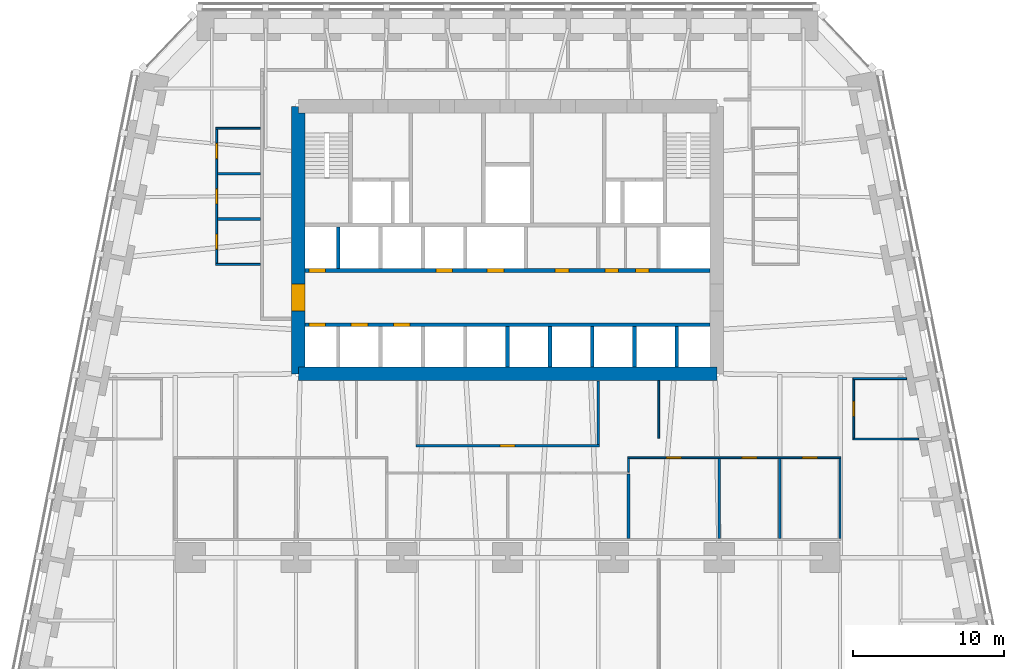
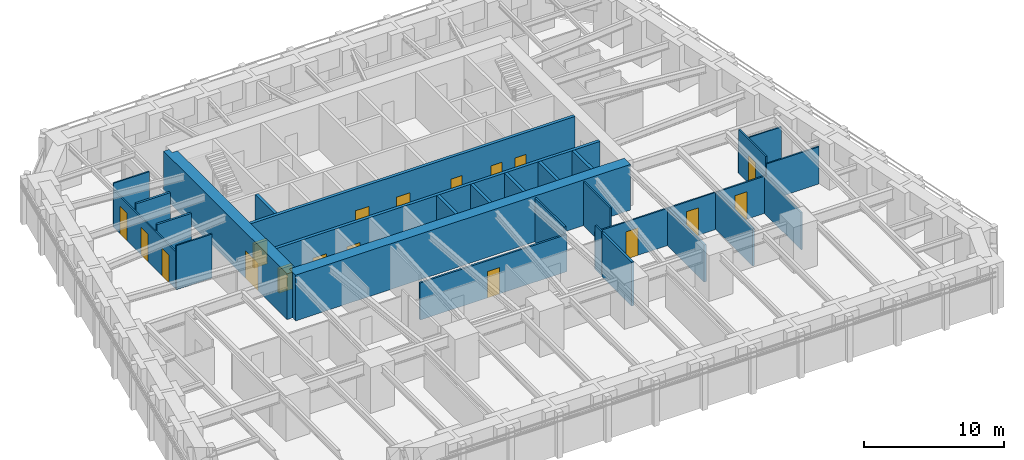
# One storey, part 6 of 10: 27 walls, 18 doors, 18 openings.
"""IFC4 building model written with IfcOpenShell, lengths in metres."""

from ifc_helpers import new_model, si_unit, direction, frame, frame_2d, origin, place, context, subcontext, project, spatial, polyline, rectangle, outline, extrude, material, layer, layer_set, type_object, element, fill, save


model = new_model("IFC4")

# Units and contexts
model_context = context("Model", 3, precision=1e-05, world=origin(), true_north=direction((0.0, 1.0)))
body_context = subcontext(model_context, "Body", "Model", "MODEL_VIEW")
ifc_project = project(units=[si_unit("LENGTHUNIT", "METRE"), si_unit("AREAUNIT", "SQUARE_METRE"), si_unit("VOLUMEUNIT", "CUBIC_METRE"), si_unit("PLANEANGLEUNIT", "RADIAN"), si_unit("MASSUNIT", "GRAM", prefix="KILO")], contexts=[model_context])

# Site, building, storey
site_placement = place(None, origin())
site = spatial("IfcSite", under=ifc_project, at=site_placement, CompositionType="ELEMENT")
building_placement = place(site_placement, origin())
building = spatial("IfcBuilding", under=site, at=building_placement, Name="Isbrekke Arena Tower", CompositionType="ELEMENT")
storey_placement = place(building_placement, frame((0.0, 0.0, 72.0)))
storey = spatial("IfcBuildingStorey", under=building, at=storey_placement, Name="L15", CompositionType="ELEMENT", Elevation=72.0)

# Wall
ifc_material_1 = material(Name="Concrete B65 (C65/80)", Category="concrete")
ifc_layer_1 = layer(ifc_material_1, 0.89990234375)
ifc_layer_set_1 = layer_set([ifc_layer_1], Name="CW2 CORE WALL 900")
wall_type_1 = type_object("IfcWallType", Name="CW2 CORE WALL 900", PredefinedType="SHEAR", material=ifc_layer_set_1)
wall_1_placement = place(storey_placement, frame((-13.85009765625, 6.14990234375, 0.0), z_axis=(0.0, 0.0, 1.0), x_axis=(1.0, 0.0, 0.0)))
element("IfcWall", 1, at=wall_1_placement, inside=storey, type_object=wall_type_1, Name="Core wall S L15", PredefinedType="SHEAR", context=body_context, shape_type="SweptSolid", body=[
    extrude(rectangle(XDim=27.7001953125, YDim=0.89990234375, at=frame_2d((13.85009765625, 0.0))), origin(), (0.0, 0.0, 1.0), 4.0),
])

# Wall, opening, door
wall_2_placement = place(storey_placement, frame((-13.85009765625, 23.85009765625, 0.0), z_axis=(0.0, 0.0, 1.0), x_axis=(0.0, -1.0, 0.0)))
wall_2 = element("IfcWall", 2, at=wall_2_placement, inside=storey, type_object=wall_type_1, Name="Core wall W L15", PredefinedType="SHEAR", context=body_context, shape_type="SweptSolid", body=[
    extrude(outline(polyline([(0.0, -0.449951171875), (17.7001953125, -0.449951171875), (17.7001953125, 0.0), (17.250244140625, 0.0), (17.250244140625, 0.449951171875), (0.449951171875, 0.449951171875), (0.449951171875, 0.0), (0.0, 0.0), (0.0, -0.449951171875)])), origin(), (0.0, 0.0, 1.0), 4.0),
])
opening_1_placement = place(wall_2_placement, frame((11.75, 0.0, 0.0)))
opening_1 = element("IfcOpeningElement", 3, at=opening_1_placement, cuts=wall_2, Name="Opening D1", PredefinedType="OPENING", context=body_context, shape_type="SweptSolid", body=[
    extrude(rectangle(XDim=1.800048828125, YDim=2.39990234375, at=frame_2d((0.89990234375, 1.199951171875))), frame((0.0, 0.46484375, 0.0), z_axis=(0.0, -1.0, 0.0), x_axis=(1.0, 0.0, 0.0)), (0.0, 0.0, 1.0), 0.9296875),
])
ifc_material_2 = material(Name="Steel-framed glazed fire door", Category="steel")
door_type_1 = type_object("IfcDoorType", Name="D1 CORE LOBBY DOOR 1800 x 2400", OperationType="DOUBLE_DOOR_SINGLE_SWING", PredefinedType="DOOR", material=ifc_material_2)
door_1_placement = place(opening_1_placement, origin())
door_1 = element("IfcDoor", 4, at=door_1_placement, inside=storey, type_object=door_type_1, Name="D1 lift lobby door west L15", OperationType="DOUBLE_DOOR_SINGLE_SWING", OverallHeight=2.39990234375, OverallWidth=1.800048828125, PredefinedType="DOOR", context=body_context, shape_type="SweptSolid", body=[
    extrude(rectangle(XDim=1.800048828125, YDim=2.39990234375, at=frame_2d((0.89990234375, 1.199951171875))), frame((0.0, 0.44970703125, 0.0), z_axis=(0.0, -1.0, 0.0), x_axis=(1.0, 0.0, 0.0)), (0.0, 0.0, 1.0), 0.8994140625),
])
fill(opening_1, door_1)

# Wall, openings, doors
ifc_material_3 = material(Name="Concrete B45 (C45/55)", Category="concrete")
ifc_layer_2 = layer(ifc_material_3, 0.25)
ifc_layer_set_2 = layer_set([ifc_layer_2], Name="CW6 SHAFT WALL 250")
wall_type_2 = type_object("IfcWallType", Name="CW6 SHAFT WALL 250", PredefinedType="SHEAR", material=ifc_layer_set_2)
wall_3_placement = place(storey_placement, frame((-13.39990234375, 9.39990234375, 0.0), z_axis=(0.0, 0.0, 1.0), x_axis=(1.0, 0.0, 0.0)))
wall_3 = element("IfcWall", 5, at=wall_3_placement, inside=storey, type_object=wall_type_2, Name="Core wall LS L15", PredefinedType="SHEAR", context=body_context, shape_type="SweptSolid", body=[
    extrude(rectangle(XDim=26.7998046875, YDim=0.25, at=frame_2d((13.39990234375, 0.0))), origin(), (0.0, 0.0, 1.0), 4.0),
])
opening_2_placement = place(wall_3_placement, frame((0.25, 0.0, 0.0)))
opening_2 = element("IfcOpeningElement", 6, at=opening_2_placement, cuts=wall_3, Name="Opening LD1", PredefinedType="OPENING", context=body_context, shape_type="SweptSolid", body=[
    extrude(rectangle(XDim=1.10009765625, YDim=2.10009765625, at=frame_2d((0.550048828125, 1.050048828125))), frame((0.0, 0.139892578125, 0.0), z_axis=(0.0, -1.0, 0.0), x_axis=(1.0, 0.0, 0.0)), (0.0, 0.0, 1.0), 0.27978515625),
])
opening_3_placement = place(wall_3_placement, frame((3.050048828125, 0.0, 0.0)))
opening_3 = element("IfcOpeningElement", 7, at=opening_3_placement, cuts=wall_3, Name="Opening LD1", PredefinedType="OPENING", context=body_context, shape_type="SweptSolid", body=[
    extrude(rectangle(XDim=1.10009765625, YDim=2.10009765625, at=frame_2d((0.550048828125, 1.050048828125))), frame((0.0, 0.139892578125, 0.0), z_axis=(0.0, -1.0, 0.0), x_axis=(1.0, 0.0, 0.0)), (0.0, 0.0, 1.0), 0.27978515625),
])
opening_4_placement = place(wall_3_placement, frame((5.85009765625, 0.0, 0.0)))
opening_4 = element("IfcOpeningElement", 8, at=opening_4_placement, cuts=wall_3, Name="Opening LD1", PredefinedType="OPENING", context=body_context, shape_type="SweptSolid", body=[
    extrude(rectangle(XDim=1.10009765625, YDim=2.10009765625, at=frame_2d((0.550048828125, 1.050048828125))), frame((0.0, 0.139892578125, 0.0), z_axis=(0.0, -1.0, 0.0), x_axis=(1.0, 0.0, 0.0)), (0.0, 0.0, 1.0), 0.27978515625),
])
ifc_material_4 = material(Name="Stainless steel lift landing door", Category="steel")
door_type_2 = type_object("IfcDoorType", Name="LD1 LIFT LANDING DOOR 1100 x 2100", OperationType="SLIDING_TO_LEFT", PredefinedType="DOOR", material=ifc_material_4)
door_2_placement = place(opening_2_placement, origin())
door_2 = element("IfcDoor", 9, at=door_2_placement, inside=storey, type_object=door_type_2, Name="LD1 lift landing door LA L15", OperationType="SLIDING_TO_LEFT", OverallHeight=2.10009765625, OverallWidth=1.10009765625, PredefinedType="DOOR", context=body_context, shape_type="SweptSolid", body=[
    extrude(rectangle(XDim=1.10009765625, YDim=2.10009765625, at=frame_2d((0.550048828125, 1.050048828125))), frame((0.0, 0.124755859375, 0.0), z_axis=(0.0, -1.0, 0.0), x_axis=(1.0, 0.0, 0.0)), (0.0, 0.0, 1.0), 0.24951171875),
])
fill(opening_2, door_2)
door_3_placement = place(opening_3_placement, origin())
door_3 = element("IfcDoor", 10, at=door_3_placement, inside=storey, type_object=door_type_2, Name="LD1 lift landing door LA L15", OperationType="SLIDING_TO_LEFT", OverallHeight=2.10009765625, OverallWidth=1.10009765625, PredefinedType="DOOR", context=body_context, shape_type="SweptSolid", body=[
    extrude(rectangle(XDim=1.10009765625, YDim=2.10009765625, at=frame_2d((0.550048828125, 1.050048828125))), frame((0.0, 0.124755859375, 0.0), z_axis=(0.0, -1.0, 0.0), x_axis=(1.0, 0.0, 0.0)), (0.0, 0.0, 1.0), 0.24951171875),
])
fill(opening_3, door_3)
door_4_placement = place(opening_4_placement, origin())
door_4 = element("IfcDoor", 11, at=door_4_placement, inside=storey, type_object=door_type_2, Name="LD1 lift landing door LA L15", OperationType="SLIDING_TO_LEFT", OverallHeight=2.10009765625, OverallWidth=1.10009765625, PredefinedType="DOOR", context=body_context, shape_type="SweptSolid", body=[
    extrude(rectangle(XDim=1.10009765625, YDim=2.10009765625, at=frame_2d((0.550048828125, 1.050048828125))), frame((0.0, 0.124755859375, 0.0), z_axis=(0.0, -1.0, 0.0), x_axis=(1.0, 0.0, 0.0)), (0.0, 0.0, 1.0), 0.24951171875),
])
fill(opening_4, door_4)

wall_4_placement = place(storey_placement, frame((-13.39990234375, 13.0, 0.0), z_axis=(0.0, 0.0, 1.0), x_axis=(1.0, 0.0, 0.0)))
wall_4 = element("IfcWall", 12, at=wall_4_placement, inside=storey, type_object=wall_type_2, Name="Core wall LN L15", PredefinedType="SHEAR", context=body_context, shape_type="SweptSolid", body=[
    extrude(rectangle(XDim=26.7998046875, YDim=0.25, at=frame_2d((13.39990234375, 0.0))), origin(), (0.0, 0.0, 1.0), 4.0),
])
opening_5_placement = place(wall_4_placement, frame((0.25, 0.0, 0.0)))
opening_5 = element("IfcOpeningElement", 13, at=opening_5_placement, cuts=wall_4, Name="Opening LD1", PredefinedType="OPENING", context=body_context, shape_type="SweptSolid", body=[
    extrude(rectangle(XDim=1.10009765625, YDim=2.10009765625, at=frame_2d((0.550048828125, 1.050048828125))), frame((0.0, 0.139892578125, 0.0), z_axis=(0.0, -1.0, 0.0), x_axis=(1.0, 0.0, 0.0)), (0.0, 0.0, 1.0), 0.27978515625),
])
opening_6_placement = place(wall_4_placement, frame((8.64990234375, 0.0, 0.0)))
opening_6 = element("IfcOpeningElement", 14, at=opening_6_placement, cuts=wall_4, Name="Opening LD1", PredefinedType="OPENING", context=body_context, shape_type="SweptSolid", body=[
    extrude(rectangle(XDim=1.10009765625, YDim=2.10009765625, at=frame_2d((0.550048828125, 1.050048828125))), frame((0.0, 0.139892578125, 0.0), z_axis=(0.0, -1.0, 0.0), x_axis=(1.0, 0.0, 0.0)), (0.0, 0.0, 1.0), 0.27978515625),
])
opening_7_placement = place(wall_4_placement, frame((12.050048828125, 0.0, 0.0)))
opening_7 = element("IfcOpeningElement", 15, at=opening_7_placement, cuts=wall_4, Name="Opening LD1", PredefinedType="OPENING", context=body_context, shape_type="SweptSolid", body=[
    extrude(rectangle(XDim=1.10009765625, YDim=2.10009765625, at=frame_2d((0.550048828125, 1.050048828125))), frame((0.0, 0.139892578125, 0.0), z_axis=(0.0, -1.0, 0.0), x_axis=(1.0, 0.0, 0.0)), (0.0, 0.0, 1.0), 0.27978515625),
])
opening_8_placement = place(wall_4_placement, frame((16.550048828125, 0.0, 0.0)))
opening_8 = element("IfcOpeningElement", 16, at=opening_8_placement, cuts=wall_4, Name="Opening D5", PredefinedType="OPENING", context=body_context, shape_type="SweptSolid", body=[
    extrude(rectangle(XDim=0.89990234375, YDim=2.10009765625, at=frame_2d((0.449951171875, 1.050048828125))), frame((0.0, 0.139892578125, 0.0), z_axis=(0.0, -1.0, 0.0), x_axis=(1.0, 0.0, 0.0)), (0.0, 0.0, 1.0), 0.27978515625),
])
opening_9_placement = place(wall_4_placement, frame((19.85009765625, 0.0, 0.0)))
opening_9 = element("IfcOpeningElement", 17, at=opening_9_placement, cuts=wall_4, Name="Opening D5", PredefinedType="OPENING", context=body_context, shape_type="SweptSolid", body=[
    extrude(rectangle(XDim=0.89990234375, YDim=2.10009765625, at=frame_2d((0.449951171875, 1.050048828125))), frame((0.0, 0.139892578125, 0.0), z_axis=(0.0, -1.0, 0.0), x_axis=(1.0, 0.0, 0.0)), (0.0, 0.0, 1.0), 0.27978515625),
])
opening_10_placement = place(wall_4_placement, frame((21.85009765625, 0.0, 0.0)))
opening_10 = element("IfcOpeningElement", 18, at=opening_10_placement, cuts=wall_4, Name="Opening D5", PredefinedType="OPENING", context=body_context, shape_type="SweptSolid", body=[
    extrude(rectangle(XDim=0.89990234375, YDim=2.10009765625, at=frame_2d((0.449951171875, 1.050048828125))), frame((0.0, 0.139892578125, 0.0), z_axis=(0.0, -1.0, 0.0), x_axis=(1.0, 0.0, 0.0)), (0.0, 0.0, 1.0), 0.27978515625),
])
ifc_material_5 = material(Name="Steel fire door", Category="steel")
door_type_3 = type_object("IfcDoorType", Name="D5 SERVICE DOOR 900 x 2100", OperationType="SINGLE_SWING_LEFT", PredefinedType="DOOR", material=ifc_material_5)
door_5_placement = place(opening_8_placement, origin())
door_5 = element("IfcDoor", 19, at=door_5_placement, inside=storey, type_object=door_type_3, Name="D5 quiet room door L15", OperationType="SINGLE_SWING_LEFT", OverallHeight=2.10009765625, OverallWidth=0.89990234375, PredefinedType="DOOR", context=body_context, shape_type="SweptSolid", body=[
    extrude(rectangle(XDim=0.89990234375, YDim=2.10009765625, at=frame_2d((0.449951171875, 1.050048828125))), frame((0.0, 0.124755859375, 0.0), z_axis=(0.0, -1.0, 0.0), x_axis=(1.0, 0.0, 0.0)), (0.0, 0.0, 1.0), 0.24951171875),
])
fill(opening_8, door_5)
door_6_placement = place(opening_9_placement, origin())
door_6 = element("IfcDoor", 20, at=door_6_placement, inside=storey, type_object=door_type_3, Name="D5 communications room door L15", OperationType="SINGLE_SWING_LEFT", OverallHeight=2.10009765625, OverallWidth=0.89990234375, PredefinedType="DOOR", context=body_context, shape_type="SweptSolid", body=[
    extrude(rectangle(XDim=0.89990234375, YDim=2.10009765625, at=frame_2d((0.449951171875, 1.050048828125))), frame((0.0, 0.124755859375, 0.0), z_axis=(0.0, -1.0, 0.0), x_axis=(1.0, 0.0, 0.0)), (0.0, 0.0, 1.0), 0.24951171875),
])
fill(opening_9, door_6)
door_7_placement = place(opening_10_placement, origin())
door_7 = element("IfcDoor", 21, at=door_7_placement, inside=storey, type_object=door_type_3, Name="D5 cleaner's store door L15", OperationType="SINGLE_SWING_LEFT", OverallHeight=2.10009765625, OverallWidth=0.89990234375, PredefinedType="DOOR", context=body_context, shape_type="SweptSolid", body=[
    extrude(rectangle(XDim=0.89990234375, YDim=2.10009765625, at=frame_2d((0.449951171875, 1.050048828125))), frame((0.0, 0.124755859375, 0.0), z_axis=(0.0, -1.0, 0.0), x_axis=(1.0, 0.0, 0.0)), (0.0, 0.0, 1.0), 0.24951171875),
])
fill(opening_10, door_7)
door_8_placement = place(opening_5_placement, origin())
door_8 = element("IfcDoor", 22, at=door_8_placement, inside=storey, type_object=door_type_2, Name="LD1 lift landing door LA L15", OperationType="SLIDING_TO_LEFT", OverallHeight=2.10009765625, OverallWidth=1.10009765625, PredefinedType="DOOR", context=body_context, shape_type="SweptSolid", body=[
    extrude(rectangle(XDim=1.10009765625, YDim=2.10009765625, at=frame_2d((0.550048828125, 1.050048828125))), frame((0.0, 0.124755859375, 0.0), z_axis=(0.0, -1.0, 0.0), x_axis=(1.0, 0.0, 0.0)), (0.0, 0.0, 1.0), 0.24951171875),
])
fill(opening_5, door_8)
door_9_placement = place(opening_6_placement, origin())
door_9 = element("IfcDoor", 23, at=door_9_placement, inside=storey, type_object=door_type_2, Name="LD1 lift landing door LA L15", OperationType="SLIDING_TO_LEFT", OverallHeight=2.10009765625, OverallWidth=1.10009765625, PredefinedType="DOOR", context=body_context, shape_type="SweptSolid", body=[
    extrude(rectangle(XDim=1.10009765625, YDim=2.10009765625, at=frame_2d((0.550048828125, 1.050048828125))), frame((0.0, 0.124755859375, 0.0), z_axis=(0.0, -1.0, 0.0), x_axis=(1.0, 0.0, 0.0)), (0.0, 0.0, 1.0), 0.24951171875),
])
fill(opening_6, door_9)
door_10_placement = place(opening_7_placement, origin())
door_10 = element("IfcDoor", 24, at=door_10_placement, inside=storey, type_object=door_type_2, Name="LD1 lift landing door LA L15", OperationType="SLIDING_TO_LEFT", OverallHeight=2.10009765625, OverallWidth=1.10009765625, PredefinedType="DOOR", context=body_context, shape_type="SweptSolid", body=[
    extrude(rectangle(XDim=1.10009765625, YDim=2.10009765625, at=frame_2d((0.550048828125, 1.050048828125))), frame((0.0, 0.124755859375, 0.0), z_axis=(0.0, -1.0, 0.0), x_axis=(1.0, 0.0, 0.0)), (0.0, 0.0, 1.0), 0.24951171875),
])
fill(opening_7, door_10)

# Walls
for number, where, z_axis, x_axis, name in (
    (25, (0.0, 6.60009765625, 0.0), (0.0, 0.0, 1.0), (0.0, 1.0, 0.0), "Core wall SS05 L15"),
    (26, (2.800048828125, 6.60009765625, 0.0), (0.0, 0.0, 1.0), (0.0, 1.0, 0.0), "Core wall SS06 L15"),
    (27, (5.60009765625, 6.60009765625, 0.0), (0.0, 0.0, 1.0), (0.0, 1.0, 0.0), "Core wall SS07 L15"),
    (28, (8.39990234375, 6.60009765625, 0.0), (0.0, 0.0, 1.0), (0.0, 1.0, 0.0), "Core wall SS08 L15"),
    (29, (11.199951171875, 6.60009765625, 0.0), (0.0, 0.0, 1.0), (0.0, 1.0, 0.0), "Core wall SS09 L15"),
):
    element("IfcWall", number, at=place(storey_placement, frame(where, z_axis=z_axis, x_axis=x_axis)), inside=storey, type_object=wall_type_2, Name=name, PredefinedType="SHEAR", context=body_context, shape_type="SweptSolid", body=[
        extrude(rectangle(XDim=2.6748046875, YDim=0.25, at=frame_2d((1.33740234375, 0.0))), origin(), (0.0, 0.0, 1.0), 4.0),
    ])
wall_5_placement = place(storey_placement, frame((-11.199951171875, 13.125, 0.0), z_axis=(0.0, 0.0, 1.0), x_axis=(0.0, 1.0, 0.0)))
element("IfcWall", 30, at=wall_5_placement, inside=storey, type_object=wall_type_2, Name="Core wall SN01 L15", PredefinedType="SHEAR", context=body_context, shape_type="SweptSolid", body=[
    extrude(rectangle(XDim=2.75, YDim=0.25, at=frame_2d((1.375, 0.0))), origin(), (0.0, 0.0, 1.0), 4.0),
])

# Wall, opening, door
ifc_material_6 = material(Name="Gypsum board partition on steel studs", Category="steel")
ifc_layer_3 = layer(ifc_material_6, 0.14990234375)
ifc_layer_set_3 = layer_set([ifc_layer_3], Name="IW1 PARTITION 150")
wall_type_3 = type_object("IfcWallType", Name="IW1 PARTITION 150", PredefinedType="PARTITIONING", material=ifc_layer_set_3)
wall_6_placement = place(storey_placement, frame((-6.074951171875, 1.39990234375, 0.0), z_axis=(0.0, 0.0, 1.0), x_axis=(1.0, 0.0, 0.0)))
wall_6 = element("IfcWall", 31, at=wall_6_placement, inside=storey, type_object=wall_type_3, Name="IW1 partition 150 L15", PredefinedType="PARTITIONING", context=body_context, shape_type="SweptSolid", body=[
    extrude(rectangle(XDim=12.14990234375, YDim=0.14990234375, at=frame_2d((6.074951171875, 0.0))), origin(), (0.0, 0.0, 1.0), 3.25),
])
opening_11_placement = place(wall_6_placement, frame((5.574951171875, 0.0, 0.0)))
opening_11 = element("IfcOpeningElement", 32, at=opening_11_placement, cuts=wall_6, Name="Opening D10", PredefinedType="OPENING", context=body_context, shape_type="SweptSolid", body=[
    extrude(rectangle(XDim=1.0, YDim=2.300048828125, at=frame_2d((0.5, 1.14990234375))), frame((0.0, 0.08984375, 0.0), z_axis=(0.0, -1.0, 0.0), x_axis=(1.0, 0.0, 0.0)), (0.0, 0.0, 1.0), 0.1796875),
])
ifc_material_7 = material(Name="Timber door", Category="wood")
door_type_4 = type_object("IfcDoorType", Name="D10 OFFICE DOOR 1000 x 2300", OperationType="SINGLE_SWING_LEFT", PredefinedType="DOOR", material=ifc_material_7)
door_11_placement = place(opening_11_placement, origin())
door_11 = element("IfcDoor", 33, at=door_11_placement, inside=storey, type_object=door_type_4, Name="D10 pantry door L15", OperationType="SINGLE_SWING_LEFT", OverallHeight=2.300048828125, OverallWidth=1.0, PredefinedType="DOOR", context=body_context, shape_type="SweptSolid", body=[
    extrude(rectangle(XDim=1.0, YDim=2.300048828125, at=frame_2d((0.5, 1.14990234375))), frame((0.0, 0.07470703125, 0.0), z_axis=(0.0, -1.0, 0.0), x_axis=(1.0, 0.0, 0.0)), (0.0, 0.0, 1.0), 0.1494140625),
])
fill(opening_11, door_11)

# Wall
wall_7_placement = place(storey_placement, frame((6.0, 1.47509765625, 0.0), z_axis=(0.0, 0.0, 1.0), x_axis=(0.0, 1.0, 0.0)))
element("IfcWall", 34, at=wall_7_placement, inside=storey, type_object=wall_type_3, Name="IW1 partition 150 L15", PredefinedType="PARTITIONING", context=body_context, shape_type="SweptSolid", body=[
    extrude(rectangle(XDim=4.19482421875, YDim=0.14990234375, at=frame_2d((2.097412109375, 0.0))), origin(), (0.0, 0.0, 1.0), 3.85009765625),
])

# Wall, openings, doors
ifc_material_8 = material(Name="Frameless glazed partition, laminated acoustic glass", Category="glass")
ifc_layer_4 = layer(ifc_material_8, 0.1201171875)
ifc_layer_set_4 = layer_set([ifc_layer_4], Name="IW2 GLAZED PARTITION 120")
wall_type_4 = type_object("IfcWallType", Name="IW2 GLAZED PARTITION 120", PredefinedType="PARTITIONING", material=ifc_layer_set_4)
wall_8_placement = place(storey_placement, frame((7.93994140625, 0.60009765625, 0.0), z_axis=(0.0, 0.0, 1.0), x_axis=(1.0, 0.0, 0.0)))
wall_8 = element("IfcWall", 35, at=wall_8_placement, inside=storey, type_object=wall_type_4, Name="IW2 glazed partition 120 L15", PredefinedType="PARTITIONING", context=body_context, shape_type="SweptSolid", body=[
    extrude(rectangle(XDim=14.1201171875, YDim=0.1201171875, at=frame_2d((7.06005859375, 0.0))), origin(), (0.0, 0.0, 1.0), 3.25),
])
opening_12_placement = place(wall_8_placement, frame((7.56005859375, 0.0, 0.0)))
opening_12 = element("IfcOpeningElement", 36, at=opening_12_placement, cuts=wall_8, Name="Opening D11", PredefinedType="OPENING", context=body_context, shape_type="SweptSolid", body=[
    extrude(rectangle(XDim=1.0, YDim=2.39990234375, at=frame_2d((0.5, 1.199951171875))), frame((0.0, 0.074951171875, 0.0), z_axis=(0.0, -1.0, 0.0), x_axis=(1.0, 0.0, 0.0)), (0.0, 0.0, 1.0), 0.14990234375),
])
opening_13_placement = place(wall_8_placement, frame((11.56005859375, 0.0, 0.0)))
opening_13 = element("IfcOpeningElement", 37, at=opening_13_placement, cuts=wall_8, Name="Opening D11", PredefinedType="OPENING", context=body_context, shape_type="SweptSolid", body=[
    extrude(rectangle(XDim=1.0, YDim=2.39990234375, at=frame_2d((0.5, 1.199951171875))), frame((0.0, 0.074951171875, 0.0), z_axis=(0.0, -1.0, 0.0), x_axis=(1.0, 0.0, 0.0)), (0.0, 0.0, 1.0), 0.14990234375),
])
opening_14_placement = place(wall_8_placement, frame((2.56005859375, 0.0, 0.0)))
opening_14 = element("IfcOpeningElement", 38, at=opening_14_placement, cuts=wall_8, Name="Opening D11", PredefinedType="OPENING", context=body_context, shape_type="SweptSolid", body=[
    extrude(rectangle(XDim=1.0, YDim=2.39990234375, at=frame_2d((0.5, 1.199951171875))), frame((0.0, 0.074951171875, 0.0), z_axis=(0.0, -1.0, 0.0), x_axis=(1.0, 0.0, 0.0)), (0.0, 0.0, 1.0), 0.14990234375),
])
ifc_material_9 = material(Name="Frameless glazed door", Category="glass")
door_type_5 = type_object("IfcDoorType", Name="D11 GLAZED MEETING ROOM DOOR 1000 x 2400", OperationType="SINGLE_SWING_RIGHT", PredefinedType="DOOR", material=ifc_material_9)
door_12_placement = place(opening_12_placement, origin())
door_12 = element("IfcDoor", 39, at=door_12_placement, inside=storey, type_object=door_type_5, Name="D11 meeting room door L15", OperationType="SINGLE_SWING_RIGHT", OverallHeight=2.39990234375, OverallWidth=1.0, PredefinedType="DOOR", context=body_context, shape_type="SweptSolid", body=[
    extrude(rectangle(XDim=1.0, YDim=2.39990234375, at=frame_2d((0.5, 1.199951171875))), frame((0.0, 0.059814453125, 0.0), z_axis=(0.0, -1.0, 0.0), x_axis=(1.0, 0.0, 0.0)), (0.0, 0.0, 1.0), 0.11962890625),
])
fill(opening_12, door_12)
door_13_placement = place(opening_13_placement, origin())
door_13 = element("IfcDoor", 40, at=door_13_placement, inside=storey, type_object=door_type_5, Name="D11 meeting room door L15", OperationType="SINGLE_SWING_RIGHT", OverallHeight=2.39990234375, OverallWidth=1.0, PredefinedType="DOOR", context=body_context, shape_type="SweptSolid", body=[
    extrude(rectangle(XDim=1.0, YDim=2.39990234375, at=frame_2d((0.5, 1.199951171875))), frame((0.0, 0.059814453125, 0.0), z_axis=(0.0, -1.0, 0.0), x_axis=(1.0, 0.0, 0.0)), (0.0, 0.0, 1.0), 0.11962890625),
])
fill(opening_13, door_13)
door_14_placement = place(opening_14_placement, origin())
door_14 = element("IfcDoor", 41, at=door_14_placement, inside=storey, type_object=door_type_5, Name="D11 meeting room door L15", OperationType="SINGLE_SWING_RIGHT", OverallHeight=2.39990234375, OverallWidth=1.0, PredefinedType="DOOR", context=body_context, shape_type="SweptSolid", body=[
    extrude(rectangle(XDim=1.0, YDim=2.39990234375, at=frame_2d((0.5, 1.199951171875))), frame((0.0, 0.059814453125, 0.0), z_axis=(0.0, -1.0, 0.0), x_axis=(1.0, 0.0, 0.0)), (0.0, 0.0, 1.0), 0.11962890625),
])
fill(opening_14, door_14)

# Walls
wall_9_placement = place(storey_placement, frame((22.840087890625, 1.840087890625, 0.0), z_axis=(0.0, 0.0, 1.0), x_axis=(1.0, 0.0, 0.0)))
element("IfcWall", 42, at=wall_9_placement, inside=storey, type_object=wall_type_4, Name="IW2 glazed partition 120 L15", PredefinedType="PARTITIONING", context=body_context, shape_type="SweptSolid", body=[
    extrude(rectangle(XDim=4.356201171875, YDim=0.1201171875, at=frame_2d((2.17822265625, 0.0))), origin(), (0.0, 0.0, 1.0), 3.25),
])
wall_10_placement = place(storey_placement, frame((22.840087890625, 5.840087890625, 0.0), z_axis=(0.0, 0.0, 1.0), x_axis=(1.0, 0.0, 0.0)))
element("IfcWall", 43, at=wall_10_placement, inside=storey, type_object=wall_type_4, Name="IW2 glazed partition 120 L15", PredefinedType="PARTITIONING", context=body_context, shape_type="SweptSolid", body=[
    extrude(rectangle(XDim=3.556396484375, YDim=0.1201171875, at=frame_2d((1.7783203125, 0.0))), origin(), (0.0, 0.0, 1.0), 2.842041015625),
])
for number, where, z_axis, x_axis, name in (
    (44, (-19.31005859375, 13.39990234375, 0.0), (0.0, 0.0, 1.0), (1.0, 0.0, 0.0), "IW2 glazed partition 120 L15"),
    (45, (-19.31005859375, 22.39990234375, 0.0), (0.0, 0.0, 1.0), (1.0, 0.0, 0.0), "IW2 glazed partition 120 L15"),
):
    element("IfcWall", number, at=place(storey_placement, frame(where, z_axis=z_axis, x_axis=x_axis)), inside=storey, type_object=wall_type_4, Name=name, PredefinedType="PARTITIONING", context=body_context, shape_type="SweptSolid", body=[
        extrude(rectangle(XDim=2.9599609375, YDim=0.1201171875, at=frame_2d((1.47998046875, 0.0))), origin(), (0.0, 0.0, 1.0), 3.85009765625),
    ])

# Wall, openings, doors
wall_11_placement = place(storey_placement, frame((-19.25, 13.4599609375, 0.0), z_axis=(0.0, 0.0, 1.0), x_axis=(0.0, 1.0, 0.0)))
wall_11 = element("IfcWall", 46, at=wall_11_placement, inside=storey, type_object=wall_type_4, Name="IW2 glazed partition 120 L15", PredefinedType="PARTITIONING", context=body_context, shape_type="SweptSolid", body=[
    extrude(rectangle(XDim=8.880126953125, YDim=0.1201171875, at=frame_2d((4.43994140625, 0.0))), origin(), (0.0, 0.0, 1.0), 3.25),
])
opening_15_placement = place(wall_11_placement, frame((0.93994140625, 0.0, 0.0)))
opening_15 = element("IfcOpeningElement", 47, at=opening_15_placement, cuts=wall_11, Name="Opening D11", PredefinedType="OPENING", context=body_context, shape_type="SweptSolid", body=[
    extrude(rectangle(XDim=1.0, YDim=2.39990234375, at=frame_2d((0.5, 1.199951171875))), frame((0.0, 0.074951171875, 0.0), z_axis=(0.0, -1.0, 0.0), x_axis=(1.0, 0.0, 0.0)), (0.0, 0.0, 1.0), 0.14990234375),
])
opening_16_placement = place(wall_11_placement, frame((3.93994140625, 0.0, 0.0)))
opening_16 = element("IfcOpeningElement", 48, at=opening_16_placement, cuts=wall_11, Name="Opening D11", PredefinedType="OPENING", context=body_context, shape_type="SweptSolid", body=[
    extrude(rectangle(XDim=1.0, YDim=2.39990234375, at=frame_2d((0.5, 1.199951171875))), frame((0.0, 0.074951171875, 0.0), z_axis=(0.0, -1.0, 0.0), x_axis=(1.0, 0.0, 0.0)), (0.0, 0.0, 1.0), 0.14990234375),
])
opening_17_placement = place(wall_11_placement, frame((6.93994140625, 0.0, 0.0)))
opening_17 = element("IfcOpeningElement", 49, at=opening_17_placement, cuts=wall_11, Name="Opening D11", PredefinedType="OPENING", context=body_context, shape_type="SweptSolid", body=[
    extrude(rectangle(XDim=1.0, YDim=2.39990234375, at=frame_2d((0.5, 1.199951171875))), frame((0.0, 0.074951171875, 0.0), z_axis=(0.0, -1.0, 0.0), x_axis=(1.0, 0.0, 0.0)), (0.0, 0.0, 1.0), 0.14990234375),
])
door_15_placement = place(opening_15_placement, origin())
door_15 = element("IfcDoor", 50, at=door_15_placement, inside=storey, type_object=door_type_5, Name="D11 quiet room door L15", OperationType="SINGLE_SWING_RIGHT", OverallHeight=2.39990234375, OverallWidth=1.0, PredefinedType="DOOR", context=body_context, shape_type="SweptSolid", body=[
    extrude(rectangle(XDim=1.0, YDim=2.39990234375, at=frame_2d((0.5, 1.199951171875))), frame((0.0, 0.059814453125, 0.0), z_axis=(0.0, -1.0, 0.0), x_axis=(1.0, 0.0, 0.0)), (0.0, 0.0, 1.0), 0.11962890625),
])
fill(opening_15, door_15)
door_16_placement = place(opening_16_placement, origin())
door_16 = element("IfcDoor", 51, at=door_16_placement, inside=storey, type_object=door_type_5, Name="D11 quiet room door L15", OperationType="SINGLE_SWING_RIGHT", OverallHeight=2.39990234375, OverallWidth=1.0, PredefinedType="DOOR", context=body_context, shape_type="SweptSolid", body=[
    extrude(rectangle(XDim=1.0, YDim=2.39990234375, at=frame_2d((0.5, 1.199951171875))), frame((0.0, 0.059814453125, 0.0), z_axis=(0.0, -1.0, 0.0), x_axis=(1.0, 0.0, 0.0)), (0.0, 0.0, 1.0), 0.11962890625),
])
fill(opening_16, door_16)
door_17_placement = place(opening_17_placement, origin())
door_17 = element("IfcDoor", 52, at=door_17_placement, inside=storey, type_object=door_type_5, Name="D11 quiet room door L15", OperationType="SINGLE_SWING_RIGHT", OverallHeight=2.39990234375, OverallWidth=1.0, PredefinedType="DOOR", context=body_context, shape_type="SweptSolid", body=[
    extrude(rectangle(XDim=1.0, YDim=2.39990234375, at=frame_2d((0.5, 1.199951171875))), frame((0.0, 0.059814453125, 0.0), z_axis=(0.0, -1.0, 0.0), x_axis=(1.0, 0.0, 0.0)), (0.0, 0.0, 1.0), 0.11962890625),
])
fill(opening_17, door_17)

# Walls
wall_12_placement = place(storey_placement, frame((8.0, -0.340087890625, 0.0), z_axis=(0.0, 0.0, 1.0), x_axis=(0.0, 1.0, 0.0)))
element("IfcWall", 53, at=wall_12_placement, inside=storey, type_object=wall_type_4, Name="IW2 glazed partition 120 L15", PredefinedType="PARTITIONING", context=body_context, shape_type="SweptSolid", body=[
    extrude(rectangle(XDim=0.880126953125, YDim=0.1201171875, at=frame_2d((0.43994140625, 0.0))), origin(), (0.0, 0.0, 1.0), 3.85009765625),
])
wall_13_placement = place(storey_placement, frame((22.0, -4.739990234375, 0.0), z_axis=(0.0, 0.0, 1.0), x_axis=(0.0, 1.0, 0.0)))
element("IfcWall", 54, at=wall_13_placement, inside=storey, type_object=wall_type_4, Name="IW2 glazed partition 120 L15", PredefinedType="PARTITIONING", context=body_context, shape_type="SweptSolid", body=[
    extrude(rectangle(XDim=5.280029296875, YDim=0.1201171875, at=frame_2d((2.64013671875, 0.0))), origin(), (0.0, 0.0, 1.0), 3.25),
])

# Wall, opening, door
wall_14_placement = place(storey_placement, frame((22.89990234375, 1.89990234375, 0.0), z_axis=(0.0, 0.0, 1.0), x_axis=(0.0, 1.0, 0.0)))
wall_14 = element("IfcWall", 55, at=wall_14_placement, inside=storey, type_object=wall_type_4, Name="IW2 glazed partition 120 L15", PredefinedType="PARTITIONING", context=body_context, shape_type="SweptSolid", body=[
    extrude(rectangle(XDim=3.880126953125, YDim=0.1201171875, at=frame_2d((1.93994140625, 0.0))), origin(), (0.0, 0.0, 1.0), 3.85009765625),
])
opening_18_placement = place(wall_14_placement, frame((1.43994140625, 0.0, 0.0)))
opening_18 = element("IfcOpeningElement", 56, at=opening_18_placement, cuts=wall_14, Name="Opening D11", PredefinedType="OPENING", context=body_context, shape_type="SweptSolid", body=[
    extrude(rectangle(XDim=1.0, YDim=2.39990234375, at=frame_2d((0.5, 1.199951171875))), frame((0.0, 0.074951171875, 0.0), z_axis=(0.0, -1.0, 0.0), x_axis=(1.0, 0.0, 0.0)), (0.0, 0.0, 1.0), 0.14990234375),
])
door_18_placement = place(opening_18_placement, origin())
door_18 = element("IfcDoor", 57, at=door_18_placement, inside=storey, type_object=door_type_5, Name="D11 project room door L15", OperationType="SINGLE_SWING_RIGHT", OverallHeight=2.39990234375, OverallWidth=1.0, PredefinedType="DOOR", context=body_context, shape_type="SweptSolid", body=[
    extrude(rectangle(XDim=1.0, YDim=2.39990234375, at=frame_2d((0.5, 1.199951171875))), frame((0.0, 0.059814453125, 0.0), z_axis=(0.0, -1.0, 0.0), x_axis=(1.0, 0.0, 0.0)), (0.0, 0.0, 1.0), 0.11962890625),
])
fill(opening_18, door_18)

# Walls
wall_15_placement = place(storey_placement, frame((10.0009765625, 1.8798828125, 0.0), z_axis=(0.0, 0.0, 1.0), x_axis=(0.0, 1.0, 0.0)))
element("IfcWall", 58, at=wall_15_placement, inside=storey, type_object=wall_type_4, Name="IW2 glazed partition 120 L15", PredefinedType="PARTITIONING", context=body_context, shape_type="SweptSolid", body=[
    extrude(rectangle(XDim=3.820068359375, YDim=0.1201171875, at=frame_2d((1.91015625, 0.0))), origin(), (0.0, 0.0, 1.0), 3.85009765625),
])
ifc_material_10 = material(Name="Gypsum board acoustic partition on twin steel studs", Category="steel")
ifc_layer_5 = layer(ifc_material_10, 0.175048828125)
ifc_layer_set_5 = layer_set([ifc_layer_5], Name="IW4 ACOUSTIC PARTITION 175")
wall_type_5 = type_object("IfcWallType", Name="IW4 ACOUSTIC PARTITION 175", PredefinedType="PARTITIONING", material=ifc_layer_set_5)
for number, where, z_axis, x_axis, name in (
    (59, (-19.18994140625, 16.39990234375, 0.0), (0.0, 0.0, 1.0), (1.0, 0.0, 0.0), "IW4 acoustic partition 175 L15"),
    (60, (-19.18994140625, 19.39990234375, 0.0), (0.0, 0.0, 1.0), (1.0, 0.0, 0.0), "IW4 acoustic partition 175 L15"),
):
    element("IfcWall", number, at=place(storey_placement, frame(where, z_axis=z_axis, x_axis=x_axis)), inside=storey, type_object=wall_type_5, Name=name, PredefinedType="PARTITIONING", context=body_context, shape_type="SweptSolid", body=[
        extrude(rectangle(XDim=2.83984375, YDim=0.175048828125, at=frame_2d((1.419921875, 0.0))), origin(), (0.0, 0.0, 1.0), 3.85009765625),
    ])
wall_16_placement = place(storey_placement, frame((8.0, -4.739990234375, 0.0), z_axis=(0.0, 0.0, 1.0), x_axis=(0.0, 1.0, 0.0)))
element("IfcWall", 61, at=wall_16_placement, inside=storey, type_object=wall_type_5, Name="IW4 acoustic partition 175 L15", PredefinedType="PARTITIONING", context=body_context, shape_type="SweptSolid", body=[
    extrude(rectangle(XDim=4.280029296875, YDim=0.175048828125, at=frame_2d((2.14013671875, 0.0))), origin(), (0.0, 0.0, 1.0), 3.85009765625),
])
for number, where, z_axis, x_axis, name in (
    (62, (14.0, -4.739990234375, 0.0), (0.0, 0.0, 1.0), (0.0, 1.0, 0.0), "IW4 acoustic partition 175 L15"),
    (63, (18.0, -4.739990234375, 0.0), (0.0, 0.0, 1.0), (0.0, 1.0, 0.0), "IW4 acoustic partition 175 L15"),
):
    element("IfcWall", number, at=place(storey_placement, frame(where, z_axis=z_axis, x_axis=x_axis)), inside=storey, type_object=wall_type_5, Name=name, PredefinedType="PARTITIONING", context=body_context, shape_type="SweptSolid", body=[
        extrude(rectangle(XDim=5.280029296875, YDim=0.175048828125, at=frame_2d((2.64013671875, 0.0))), origin(), (0.0, 0.0, 1.0), 3.25),
    ])

save(model, "model.ifc")
